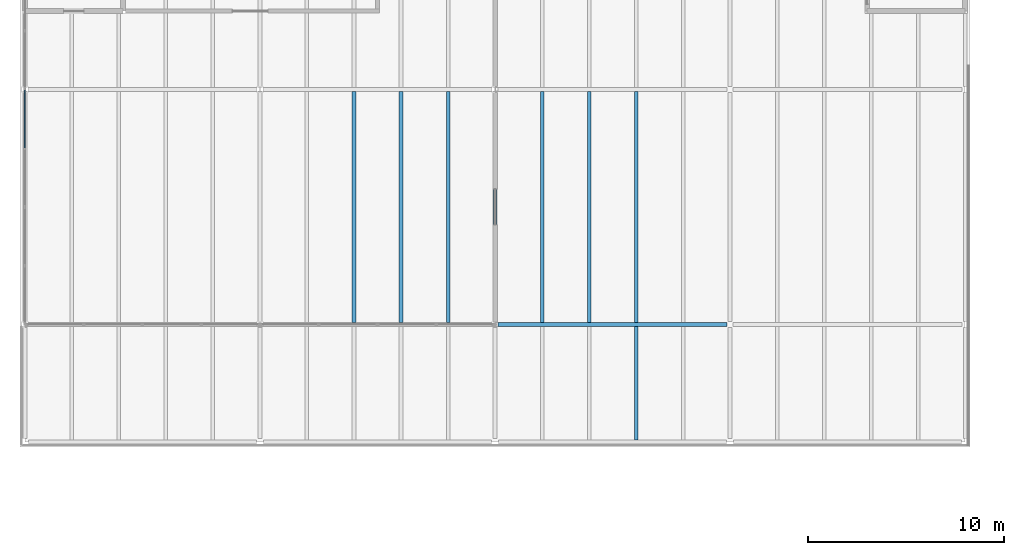
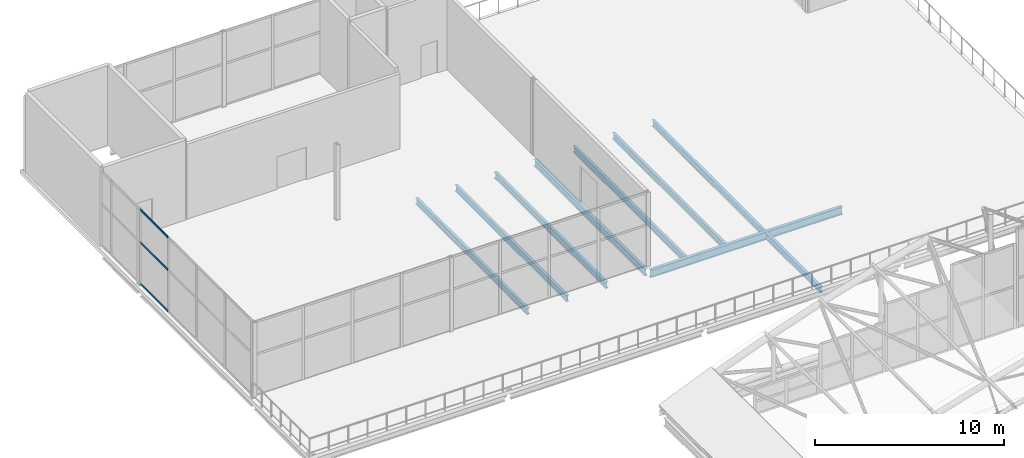
# One storey, part 203 of 321: 9 beams, 3 members, 1 element without a shape of its own.
"""IFC4 building model written with IfcOpenShell, lengths in metres."""

from ifc_helpers import new_model, si_unit, direction, frame, origin, origin_2d, place, context, subcontext, project, spatial, rectangle, i_section, extrude, material, layer, layer_set, material_profile, profile_set, type_object, element, aggregate, save


model = new_model("IFC4")

# Units and contexts
model_context = context("Model", 3, precision=1e-05, world=origin(), true_north=direction((0.0, 1.0)))
body_context = subcontext(model_context, "Body", "Model", "MODEL_VIEW")
ifc_project = project(units=[si_unit("LENGTHUNIT", "METRE"), si_unit("AREAUNIT", "SQUARE_METRE"), si_unit("VOLUMEUNIT", "CUBIC_METRE"), si_unit("PLANEANGLEUNIT", "RADIAN"), si_unit("MASSUNIT", "GRAM", prefix="KILO")], contexts=[model_context])

# Site, building, storey
site_placement = place(None, origin())
site = spatial("IfcSite", under=ifc_project, at=site_placement, CompositionType="ELEMENT")
building_placement = place(site_placement, origin())
building = spatial("IfcBuilding", under=site, at=building_placement, Name="Ravi Spectrum Wholesale Market", CompositionType="ELEMENT")
storey_placement = place(building_placement, frame((0.0, 0.0, 10.800048828125)))
storey = spatial("IfcBuildingStorey", under=building, at=storey_placement, Name="L02", CompositionType="ELEMENT", Elevation=10.800048828125)

# Beams
ifc_material_1 = material(Name="Steel S355", Category="steel")
ifc_material_profile_1 = material_profile(ifc_material_1, i_section(OverallWidth=0.179931640625, OverallDepth=0.39990234375, WebThickness=0.008544921875, FlangeThickness=0.013427734375, at=origin_2d()))
ifc_profile_set_1 = profile_set([ifc_material_profile_1], Name="Steel S355")
beam_type_1 = type_object("IfcBeamType", Name="IPE 400 girder", PredefinedType="BEAM", material=ifc_profile_set_1)
for number, where, z_axis, x_axis, name in (
    (1, (28.800048828125, 210.10009765625, -0.449951171875), (0.0, 1.0, 0.0), (-1.0, 0.0, 0.0), "OF-BM-L02-050"),
    (2, (31.199951171875, 210.10009765625, -0.449951171875), (0.0, 1.0, 0.0), (-1.0, 0.0, 0.0), "OF-BM-L02-051"),
    (3, (33.60009765625, 210.10009765625, -0.449951171875), (0.0, 1.0, 0.0), (-1.0, 0.0, 0.0), "OF-BM-L02-052"),
):
    element("IfcBeam", number, at=place(storey_placement, frame(where, z_axis=z_axis, x_axis=x_axis)), inside=storey, type_object=beam_type_1, Name=name, PredefinedType="BEAM", context=body_context, shape_type="SweptSolid", body=[
        extrude(i_section(OverallWidth=0.179931640625, OverallDepth=0.39990234375, WebThickness=0.008544921875, FlangeThickness=0.013427734375, at=origin_2d()), origin(), (0.0, 0.0, 1.0), 11.7998046875),
    ])
beam_1_placement = place(storey_placement, frame((43.199951171875, 204.10009765625, -0.449951171875), z_axis=(0.0, 1.0, 0.0), x_axis=(-1.0, 0.0, 0.0)))
element("IfcBeam", 4, at=beam_1_placement, inside=storey, type_object=beam_type_1, Name="OF-BM-L02-059", PredefinedType="BEAM", context=body_context, shape_type="SweptSolid", body=[
    extrude(i_section(OverallWidth=0.179931640625, OverallDepth=0.39990234375, WebThickness=0.008544921875, FlangeThickness=0.013427734375, at=origin_2d()), origin(), (0.0, 0.0, 1.0), 5.7998046875),
])
for number, where, z_axis, x_axis, name in (
    (5, (38.39990234375, 210.10009765625, -0.449951171875), (0.0, 1.0, 0.0), (-1.0, 0.0, 0.0), "OF-BM-L02-061"),
    (6, (40.800048828125, 210.10009765625, -0.449951171875), (0.0, 1.0, 0.0), (-1.0, 0.0, 0.0), "OF-BM-L02-062"),
    (7, (43.199951171875, 210.10009765625, -0.449951171875), (0.0, 1.0, 0.0), (-1.0, 0.0, 0.0), "OF-BM-L02-063"),
):
    element("IfcBeam", number, at=place(storey_placement, frame(where, z_axis=z_axis, x_axis=x_axis)), inside=storey, type_object=beam_type_1, Name=name, PredefinedType="BEAM", context=body_context, shape_type="SweptSolid", body=[
        extrude(i_section(OverallWidth=0.179931640625, OverallDepth=0.39990234375, WebThickness=0.008544921875, FlangeThickness=0.013427734375, at=origin_2d()), origin(), (0.0, 0.0, 1.0), 11.7998046875),
    ])
ifc_material_2 = material(Name="Steel S355", Category="steel")
ifc_material_profile_2 = material_profile(ifc_material_2, i_section(OverallWidth=0.18994140625, OverallDepth=0.449951171875, WebThickness=0.009521484375, FlangeThickness=0.0146484375, at=origin_2d()))
ifc_profile_set_2 = profile_set([ifc_material_profile_2], Name="Steel S355")
beam_type_2 = type_object("IfcBeamType", Name="IPE 450 girder", PredefinedType="BEAM", material=ifc_profile_set_2)
beam_2_placement = place(storey_placement, frame((36.0, 210.14990234375, -0.47509765625), z_axis=(0.0, 1.0, 0.0), x_axis=(-1.0, 0.0, 0.0)))
element("IfcBeam", 8, at=beam_2_placement, inside=storey, type_object=beam_type_2, Name="OF-BM-L02-025", PredefinedType="BEAM", context=body_context, shape_type="SweptSolid", body=[
    extrude(i_section(OverallWidth=0.18994140625, OverallDepth=0.449951171875, WebThickness=0.009521484375, FlangeThickness=0.0146484375, at=origin_2d()), origin(), (0.0, 0.0, 1.0), 11.7001953125),
])
ifc_material_3 = material(Name="Steel S355", Category="steel")
ifc_material_profile_3 = material_profile(ifc_material_3, i_section(OverallWidth=0.199951171875, OverallDepth=0.5, WebThickness=0.01025390625, FlangeThickness=0.01611328125, at=origin_2d()))
ifc_profile_set_3 = profile_set([ifc_material_profile_3], Name="Steel S355")
beam_type_3 = type_object("IfcBeamType", Name="IPE 500 beam", PredefinedType="BEAM", material=ifc_profile_set_3)
beam_3_placement = place(storey_placement, frame((36.14990234375, 210.0, -0.5), z_axis=(1.0, 0.0, 0.0), x_axis=(0.0, 1.0, 0.0)))
element("IfcBeam", 9, at=beam_3_placement, inside=storey, type_object=beam_type_3, Name="OF-BM-L02-007", PredefinedType="BEAM", context=body_context, shape_type="SweptSolid", body=[
    extrude(i_section(OverallWidth=0.199951171875, OverallDepth=0.5, WebThickness=0.01025390625, FlangeThickness=0.01611328125, at=origin_2d()), origin(), (0.0, 0.0, 1.0), 11.7001953125),
])

# Curtain wall, members
ifc_material_4 = material(Name="Aluminium 6063-T6", Category="aluminium")
ifc_layer = layer(ifc_material_4, 0.14990234375)
ifc_layer_set = layer_set([ifc_layer], Name="Aluminium 6063-T6")
curtain_wall_type = type_object("IfcCurtainWallType", Name="Curtain wall 150", PredefinedType="NOTDEFINED", material=ifc_layer_set)
curtain_wall_placement = place(storey_placement, origin())
curtain_wall = element("IfcCurtainWall", 10, at=curtain_wall_placement, inside=storey, type_object=curtain_wall_type, Name="OF-CW-L02-001", PredefinedType="NOTDEFINED")
ifc_material_5 = material(Name="Aluminium 6063-T6", Category="aluminium")
ifc_material_profile_4 = material_profile(ifc_material_5, rectangle(XDim=0.06005859375, YDim=0.1201171875, at=origin_2d()))
ifc_profile_set_4 = profile_set([ifc_material_profile_4], Name="Aluminium 6063-T6")
member_type = type_object("IfcMemberType", Name="Transom 60 x 120", PredefinedType="USERDEFINED", material=ifc_profile_set_4)
member_1_placement = place(storey_placement, frame((12.0, 219.030029296875, 0.030029296875), z_axis=(0.0, 1.0, 0.0), x_axis=(-1.0, 0.0, 0.0)))
member_1 = element("IfcMember", 11, at=member_1_placement, type_object=member_type, Name="OF-CW-L02-001 transom 4.1", ObjectType="TRANSOM", PredefinedType="USERDEFINED", context=body_context, shape_type="SweptSolid", body=[
    extrude(rectangle(XDim=0.06005859375, YDim=0.1201171875, at=origin_2d()), origin(), (0.0, 0.0, 1.0), 2.93994140625),
])
member_2_placement = place(storey_placement, frame((12.0, 219.030029296875, 2.699951171875), z_axis=(0.0, 1.0, 0.0), x_axis=(-1.0, 0.0, 0.0)))
member_2 = element("IfcMember", 12, at=member_2_placement, type_object=member_type, Name="OF-CW-L02-001 transom 4.2", ObjectType="TRANSOM", PredefinedType="USERDEFINED", context=body_context, shape_type="SweptSolid", body=[
    extrude(rectangle(XDim=0.06005859375, YDim=0.1201171875, at=origin_2d()), origin(), (0.0, 0.0, 1.0), 2.93994140625),
])
member_3_placement = place(storey_placement, frame((12.0, 219.030029296875, 4.7900390625), z_axis=(0.0, 1.0, 0.0), x_axis=(-1.0, 0.0, 0.0)))
member_3 = element("IfcMember", 13, at=member_3_placement, type_object=member_type, Name="OF-CW-L02-001 transom 4.3", ObjectType="TRANSOM", PredefinedType="USERDEFINED", context=body_context, shape_type="SweptSolid", body=[
    extrude(rectangle(XDim=0.06005859375, YDim=0.1201171875, at=origin_2d()), origin(), (0.0, 0.0, 1.0), 2.93994140625),
])
aggregate(curtain_wall, [member_1, member_2, member_3])

save(model, "model.ifc")
